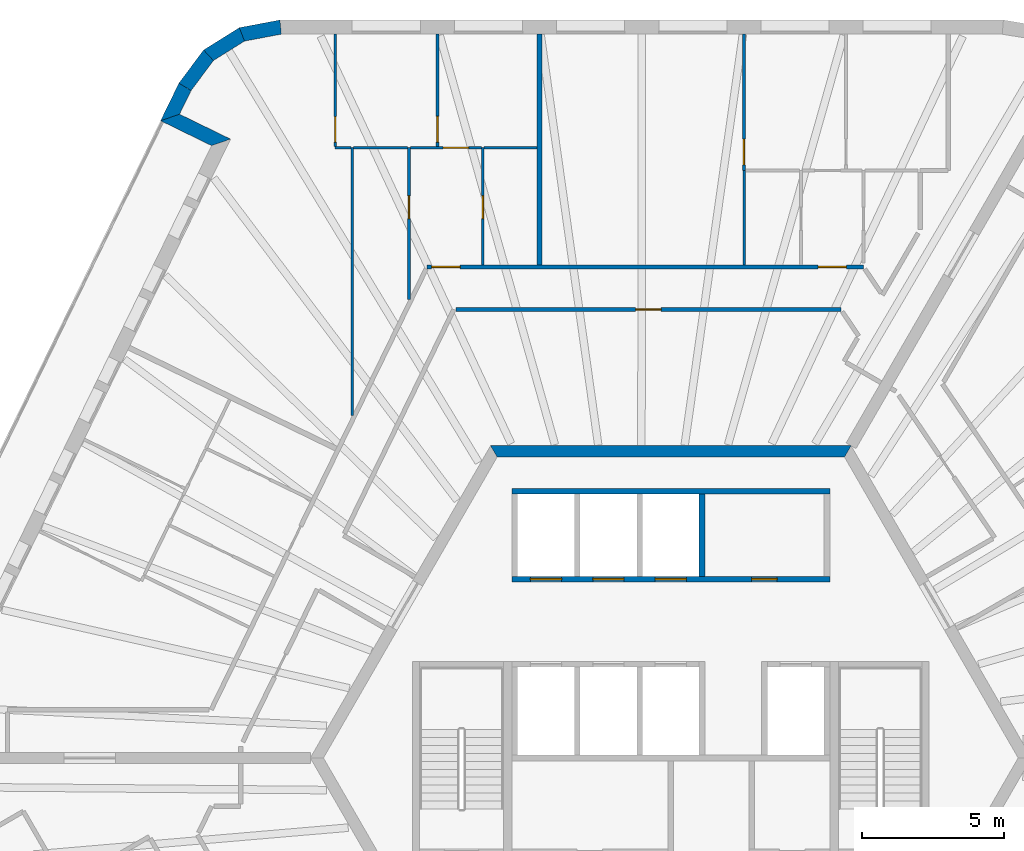
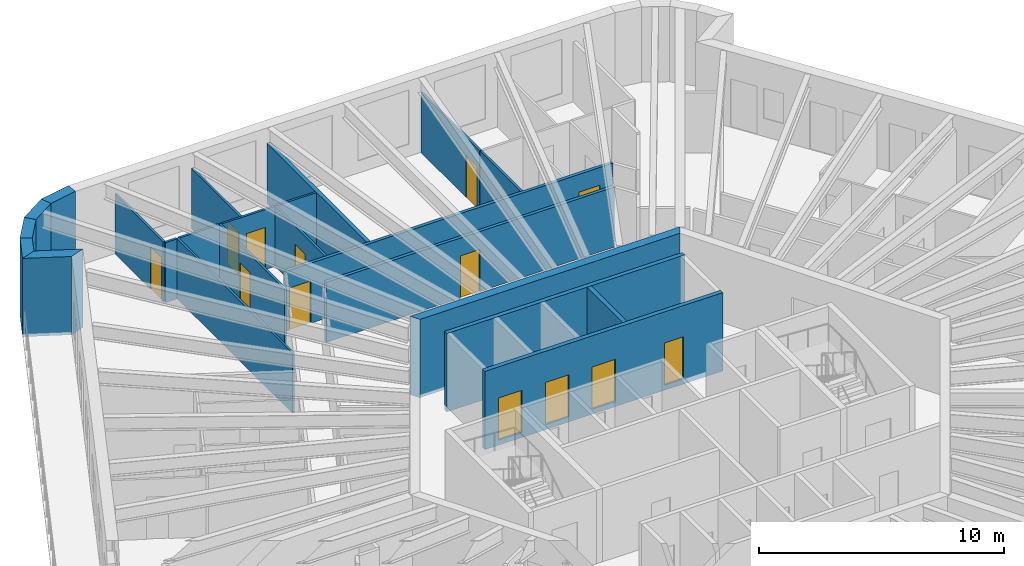
# One storey, part 9 of 12: 23 walls, 13 doors, 13 openings.
"""IFC4 building model written with IfcOpenShell, lengths in metres."""

from ifc_helpers import new_model, si_unit, direction, frame, frame_2d, origin, place, context, subcontext, project, spatial, polyline, rectangle, outline, extrude, material, layer, layer_set, type_object, element, fill, save


model = new_model("IFC4")

# Units and contexts
model_context = context("Model", 3, precision=1e-05, world=origin(), true_north=direction((0.0, 1.0)))
body_context = subcontext(model_context, "Body", "Model", "MODEL_VIEW")
ifc_project = project(units=[si_unit("LENGTHUNIT", "METRE"), si_unit("AREAUNIT", "SQUARE_METRE"), si_unit("VOLUMEUNIT", "CUBIC_METRE"), si_unit("PLANEANGLEUNIT", "RADIAN"), si_unit("MASSUNIT", "GRAM", prefix="KILO")], contexts=[model_context])

# Site, building, storey
site_placement = place(None, origin())
site = spatial("IfcSite", under=ifc_project, at=site_placement, CompositionType="ELEMENT")
building_placement = place(site_placement, origin())
building = spatial("IfcBuilding", under=site, at=building_placement, Name="Tarnside Tower", CompositionType="ELEMENT")
storey_placement = place(building_placement, frame((0.0, 0.0, 287.39990234375)))
storey = spatial("IfcBuildingStorey", under=building, at=storey_placement, Name="L69", CompositionType="ELEMENT", Elevation=287.39990234375)

# Walls
ifc_material_1 = material(Name="Gypsum board partition on steel studs", Category="steel")
ifc_layer_1 = layer(ifc_material_1, 0.10009765625)
ifc_layer_set_1 = layer_set([ifc_layer_1], Name="Bathroom wall 100")
wall_type_1 = type_object("IfcWallType", Name="Bathroom wall 100", PredefinedType="PARTITIONING", material=ifc_layer_set_1)
wall_1_placement = place(storey_placement, frame((2.586181640625, 17.375, 0.0), z_axis=(0.0, 0.0, 1.0), x_axis=(0.0, 1.0, 0.0)))
element("IfcWall", 1, at=wall_1_placement, inside=storey, type_object=wall_type_1, Name="Bathroom wall 22084", PredefinedType="PARTITIONING", context=body_context, shape_type="SweptSolid", body=[
    extrude(rectangle(XDim=3.324951171875, YDim=0.10009765625, at=frame_2d((1.66259765625, 0.0))), origin(), (0.0, 0.0, 1.0), 2.98779296875),
])
wall_2_placement = place(storey_placement, frame((-11.224853515625, 12.058837890625, 0.0), z_axis=(0.0, 0.0, 1.0), x_axis=(0.0, 1.0, 0.0)))
element("IfcWall", 2, at=wall_2_placement, inside=storey, type_object=wall_type_1, Name="Bathroom wall 22097", PredefinedType="PARTITIONING", context=body_context, shape_type="SweptSolid", body=[
    extrude(rectangle(XDim=9.441162109375, YDim=0.10009765625, at=frame_2d((4.720703125, 0.0))), origin(), (0.0, 0.0, 1.0), 2.98779296875),
])

# Wall, opening, door
wall_3_placement = place(storey_placement, frame((-6.624755859375, 17.375, 0.0), z_axis=(0.0, 0.0, 1.0), x_axis=(0.0, 1.0, 0.0)))
wall_3 = element("IfcWall", 3, at=wall_3_placement, inside=storey, type_object=wall_type_1, Name="Bathroom wall 22100", PredefinedType="PARTITIONING", context=body_context, shape_type="SweptSolid", body=[
    extrude(rectangle(XDim=4.125, YDim=0.10009765625, at=frame_2d((2.0625, 0.0))), origin(), (0.0, 0.0, 1.0), 2.98779296875),
])
opening_1_placement = place(wall_3_placement, frame((1.625, 0.0, 0.0)))
opening_1 = element("IfcOpeningElement", 4, at=opening_1_placement, cuts=wall_3, Name="Opening D-B1", PredefinedType="OPENING", context=body_context, shape_type="SweptSolid", body=[
    extrude(rectangle(XDim=0.800048828125, YDim=2.10009765625, at=frame_2d((0.39990234375, 1.050048828125))), frame((0.0, 0.06005859375, 0.0), z_axis=(0.0, -1.0, 0.0), x_axis=(1.0, 0.0, 0.0)), (0.0, 0.0, 1.0), 0.1201171875),
])
ifc_material_2 = material(Name="Timber door leaf", Category="wood")
door_type_1 = type_object("IfcDoorType", Name="Bathroom door 800", OperationType="NOTDEFINED", PredefinedType="DOOR", material=ifc_material_2)
door_1_placement = place(opening_1_placement, origin())
door_1 = element("IfcDoor", 5, at=door_1_placement, inside=storey, type_object=door_type_1, Name="Bathroom door 22013", OperationType="SINGLE_SWING_RIGHT", OverallHeight=2.10009765625, OverallWidth=0.800048828125, PredefinedType="DOOR", context=body_context, shape_type="SweptSolid", body=[
    extrude(rectangle(XDim=0.800048828125, YDim=2.10009765625, at=frame_2d((0.39990234375, 1.050048828125))), frame((0.0, 0.02490234375, 0.0), z_axis=(0.0, -1.0, 0.0), x_axis=(1.0, 0.0, 0.0)), (0.0, 0.0, 1.0), 0.050048828125),
])
fill(opening_1, door_1)

wall_4_placement = place(storey_placement, frame((-9.224853515625, 21.5, 0.0), z_axis=(0.0, 0.0, 1.0), x_axis=(0.0, -1.0, 0.0)))
wall_4 = element("IfcWall", 6, at=wall_4_placement, inside=storey, type_object=wall_type_1, Name="Bathroom wall 22103", PredefinedType="PARTITIONING", context=body_context, shape_type="SweptSolid", body=[
    extrude(rectangle(XDim=5.340576171875, YDim=0.10009765625, at=frame_2d((2.67041015625, 0.0))), origin(), (0.0, 0.0, 1.0), 2.98779296875),
])
opening_2_placement = place(wall_4_placement, frame((1.699951171875, 0.0, 0.0)))
opening_2 = element("IfcOpeningElement", 7, at=opening_2_placement, cuts=wall_4, Name="Opening D-B1", PredefinedType="OPENING", context=body_context, shape_type="SweptSolid", body=[
    extrude(rectangle(XDim=0.800048828125, YDim=2.10009765625, at=frame_2d((0.39990234375, 1.050048828125))), frame((0.0, 0.06005859375, 0.0), z_axis=(0.0, -1.0, 0.0), x_axis=(1.0, 0.0, 0.0)), (0.0, 0.0, 1.0), 0.1201171875),
])
door_2_placement = place(opening_2_placement, origin())
door_2 = element("IfcDoor", 8, at=door_2_placement, inside=storey, type_object=door_type_1, Name="Bathroom door 22020", OperationType="SINGLE_SWING_RIGHT", OverallHeight=2.10009765625, OverallWidth=0.800048828125, PredefinedType="DOOR", context=body_context, shape_type="SweptSolid", body=[
    extrude(rectangle(XDim=0.800048828125, YDim=2.10009765625, at=frame_2d((0.39990234375, 1.050048828125))), frame((0.0, 0.02490234375, 0.0), z_axis=(0.0, -1.0, 0.0), x_axis=(1.0, 0.0, 0.0)), (0.0, 0.0, 1.0), 0.050048828125),
])
fill(opening_2, door_2)

# Walls
wall_5_placement = place(storey_placement, frame((-4.71484375, 21.5, 0.0), z_axis=(0.0, 0.0, 1.0), x_axis=(-1.0, 0.0, 0.0)))
element("IfcWall", 9, at=wall_5_placement, inside=storey, type_object=wall_type_1, Name="Bathroom wall 22104", PredefinedType="PARTITIONING", context=body_context, shape_type="SweptSolid", body=[
    extrude(rectangle(XDim=1.862060546875, YDim=0.10009765625, at=frame_2d((0.93115234375, 0.0))), origin(), (0.0, 0.0, 1.0), 2.98779296875),
])
wall_6_placement = place(storey_placement, frame((-11.1748046875, 21.5, 0.0), z_axis=(0.0, 0.0, 1.0), x_axis=(1.0, 0.0, 0.0)))
element("IfcWall", 10, at=wall_6_placement, inside=storey, type_object=wall_type_1, Name="Bathroom wall 22106", PredefinedType="PARTITIONING", context=body_context, shape_type="SweptSolid", body=[
    extrude(rectangle(XDim=1.89990234375, YDim=0.10009765625, at=frame_2d((0.949951171875, 0.0))), origin(), (0.0, 0.0, 1.0), 2.98779296875),
])
ifc_material_3 = material(Name="Concrete C60/75", Category="concrete")
ifc_layer_2 = layer(ifc_material_3, 0.39990234375)
ifc_layer_set_2 = layer_set([ifc_layer_2], Name="Core wall Z3 400 C60/75")
wall_type_2 = type_object("IfcWallType", Name="Core wall Z3 400 C60/75", PredefinedType="SHEAR", material=ifc_layer_set_2)
wall_7_placement = place(storey_placement, frame((6.2353515625, 10.800048828125, -0.14990234375), z_axis=(0.0, 0.0, 1.0), x_axis=(-1.0, 0.0, 0.0)))
element("IfcWall", 11, at=wall_7_placement, inside=storey, type_object=wall_type_2, Name="L69 core wall face 1", PredefinedType="SHEAR", context=body_context, shape_type="SweptSolid", body=[
    extrude(outline(polyline([(-0.115478515625, -0.199951171875), (12.586181640625, -0.199951171875), (12.355224609375, 0.199951171875), (0.115478515625, 0.199951171875), (-0.115478515625, -0.199951171875)])), origin(), (0.0, 0.0, 1.0), 3.89990234375),
])

# Wall, openings, doors
ifc_layer_3 = layer(ifc_material_1, 0.14990234375)
ifc_layer_set_3 = layer_set([ifc_layer_3], Name="Corridor wall 150 EI 60")
wall_type_3 = type_object("IfcWallType", Name="Corridor wall 150 EI 60", PredefinedType="PARTITIONING", material=ifc_layer_set_3)
wall_8_placement = place(storey_placement, frame((6.7861328125, 17.300048828125, 0.0), z_axis=(0.0, 0.0, 1.0), x_axis=(-1.0, 0.0, 0.0)))
wall_8 = element("IfcWall", 12, at=wall_8_placement, inside=storey, type_object=wall_type_3, Name="Corridor wall 22001", PredefinedType="PARTITIONING", context=body_context, shape_type="SweptSolid", body=[
    extrude(rectangle(XDim=15.37109375, YDim=0.14990234375, at=frame_2d((7.685546875, 0.0))), origin(), (0.0, 0.0, 1.0), 2.98779296875),
])
opening_3_placement = place(wall_8_placement, frame((0.60009765625, 0.0, 0.0)))
opening_3 = element("IfcOpeningElement", 13, at=opening_3_placement, cuts=wall_8, Name="Opening D-E1", PredefinedType="OPENING", context=body_context, shape_type="SweptSolid", body=[
    extrude(rectangle(XDim=1.0, YDim=2.10009765625, at=frame_2d((0.5, 1.050048828125))), frame((0.0, 0.0849609375, 0.0), z_axis=(0.0, -1.0, 0.0), x_axis=(1.0, 0.0, 0.0)), (0.0, 0.0, 1.0), 0.169921875),
])
opening_4_placement = place(wall_8_placement, frame((14.2109375, 0.0, 0.0)))
opening_4 = element("IfcOpeningElement", 14, at=opening_4_placement, cuts=wall_8, Name="Opening D-E1", PredefinedType="OPENING", context=body_context, shape_type="SweptSolid", body=[
    extrude(rectangle(XDim=1.0, YDim=2.10009765625, at=frame_2d((0.5, 1.050048828125))), frame((0.0, 0.0849609375, 0.0), z_axis=(0.0, -1.0, 0.0), x_axis=(1.0, 0.0, 0.0)), (0.0, 0.0, 1.0), 0.169921875),
])
door_type_2 = type_object("IfcDoorType", Name="Unit entrance door 1000 FD30S", OperationType="NOTDEFINED", PredefinedType="DOOR", material=ifc_material_2)
door_3_placement = place(opening_3_placement, origin())
door_3 = element("IfcDoor", 15, at=door_3_placement, inside=storey, type_object=door_type_2, Name="Unit door 22001", OperationType="SINGLE_SWING_LEFT", OverallHeight=2.10009765625, OverallWidth=1.0, PredefinedType="DOOR", context=body_context, shape_type="SweptSolid", body=[
    extrude(rectangle(XDim=1.0, YDim=2.10009765625, at=frame_2d((0.5, 1.050048828125))), frame((0.0, 0.02490234375, 0.0), z_axis=(0.0, -1.0, 0.0), x_axis=(1.0, 0.0, 0.0)), (0.0, 0.0, 1.0), 0.050048828125),
])
fill(opening_3, door_3)
door_4_placement = place(opening_4_placement, origin())
door_4 = element("IfcDoor", 16, at=door_4_placement, inside=storey, type_object=door_type_2, Name="Unit door 22012", OperationType="SINGLE_SWING_LEFT", OverallHeight=2.10009765625, OverallWidth=1.0, PredefinedType="DOOR", context=body_context, shape_type="SweptSolid", body=[
    extrude(rectangle(XDim=1.0, YDim=2.10009765625, at=frame_2d((0.5, 1.050048828125))), frame((0.0, 0.02490234375, 0.0), z_axis=(0.0, -1.0, 0.0), x_axis=(1.0, 0.0, 0.0)), (0.0, 0.0, 1.0), 0.050048828125),
])
fill(opening_4, door_4)

# Wall, opening, door
wall_9_placement = place(storey_placement, frame((-7.564208984375, 15.800048828125, 0.0), z_axis=(0.0, 0.0, 1.0), x_axis=(1.0, 0.0, 0.0)))
wall_9 = element("IfcWall", 17, at=wall_9_placement, inside=storey, type_object=wall_type_3, Name="Corridor wall 22022", PredefinedType="PARTITIONING", context=body_context, shape_type="SweptSolid", body=[
    extrude(rectangle(XDim=13.552734375, YDim=0.14990234375, at=frame_2d((6.7763671875, 0.0))), origin(), (0.0, 0.0, 1.0), 2.98779296875),
])
opening_5_placement = place(wall_9_placement, frame((6.326416015625, 0.0, 0.0)))
opening_5 = element("IfcOpeningElement", 18, at=opening_5_placement, cuts=wall_9, Name="Opening D-S1", PredefinedType="OPENING", context=body_context, shape_type="SweptSolid", body=[
    extrude(rectangle(XDim=0.89990234375, YDim=2.10009765625, at=frame_2d((0.449951171875, 1.050048828125))), frame((0.0, 0.0849609375, 0.0), z_axis=(0.0, -1.0, 0.0), x_axis=(1.0, 0.0, 0.0)), (0.0, 0.0, 1.0), 0.169921875),
])
door_type_3 = type_object("IfcDoorType", Name="Service room door 900 FD30S", OperationType="NOTDEFINED", PredefinedType="DOOR", material=ifc_material_2)
door_5_placement = place(opening_5_placement, origin())
door_5 = element("IfcDoor", 19, at=door_5_placement, inside=storey, type_object=door_type_3, Name="Service door 22086", OperationType="SINGLE_SWING_LEFT", OverallHeight=2.10009765625, OverallWidth=0.89990234375, PredefinedType="DOOR", context=body_context, shape_type="SweptSolid", body=[
    extrude(rectangle(XDim=0.89990234375, YDim=2.10009765625, at=frame_2d((0.449951171875, 1.050048828125))), frame((0.0, 0.02490234375, 0.0), z_axis=(0.0, -1.0, 0.0), x_axis=(1.0, 0.0, 0.0)), (0.0, 0.0, 1.0), 0.050048828125),
])
fill(opening_5, door_5)

# Wall
ifc_layer_4 = layer(ifc_material_1, 0.179931640625)
ifc_layer_set_4 = layer_set([ifc_layer_4], Name="Demising wall 180 EI 60")
wall_type_4 = type_object("IfcWallType", Name="Demising wall 180 EI 60", PredefinedType="PARTITIONING", material=ifc_layer_set_4)
wall_10_placement = place(storey_placement, frame((-4.624755859375, 25.5, 0.0), z_axis=(0.0, 0.0, 1.0), x_axis=(0.0, -1.0, 0.0)))
element("IfcWall", 20, at=wall_10_placement, inside=storey, type_object=wall_type_4, Name="Demising wall 22086", PredefinedType="PARTITIONING", context=body_context, shape_type="SweptSolid", body=[
    extrude(rectangle(XDim=8.125, YDim=0.179931640625, at=frame_2d((4.0625, 0.0))), origin(), (0.0, 0.0, 1.0), 2.98779296875),
])

# Wall, openings, doors
ifc_material_4 = material(Name="Concrete C40/50", Category="concrete")
ifc_layer_5 = layer(ifc_material_4, 0.199951171875)
ifc_layer_set_5 = layer_set([ifc_layer_5], Name="Lift shaft wall 200 C40/50")
wall_type_5 = type_object("IfcWallType", Name="Lift shaft wall 200 C40/50", PredefinedType="SHEAR", material=ifc_layer_set_5)
wall_11_placement = place(storey_placement, frame((-5.60009765625, 6.300048828125, -0.25), z_axis=(0.0, 0.0, 1.0), x_axis=(1.0, 0.0, 0.0)))
wall_11 = element("IfcWall", 21, at=wall_11_placement, inside=storey, type_object=wall_type_5, Name="L69 lift shaft front wall R1", PredefinedType="SHEAR", context=body_context, shape_type="SweptSolid", body=[
    extrude(rectangle(XDim=11.2001953125, YDim=0.199951171875, at=frame_2d((5.60009765625, 0.0))), origin(), (0.0, 0.0, 1.0), 3.900146484375),
])
opening_6_placement = place(wall_11_placement, frame((8.449951171875, 0.0, 0.25)))
opening_6 = element("IfcOpeningElement", 22, at=opening_6_placement, cuts=wall_11, Name="Opening CD-room", PredefinedType="OPENING", context=body_context, shape_type="SweptSolid", body=[
    extrude(rectangle(XDim=0.89990234375, YDim=2.10009765625, at=frame_2d((0.449951171875, 1.050048828125))), frame((0.0, 0.10986328125, 0.0), z_axis=(0.0, -1.0, 0.0), x_axis=(1.0, 0.0, 0.0)), (0.0, 0.0, 1.0), 0.219970703125),
])
opening_7_placement = place(wall_11_placement, frame((0.64990234375, 0.0, 0.25)))
opening_7 = element("IfcOpeningElement", 23, at=opening_7_placement, cuts=wall_11, Name="Opening LD", PredefinedType="OPENING", context=body_context, shape_type="SweptSolid", body=[
    extrude(rectangle(XDim=1.10009765625, YDim=2.10009765625, at=frame_2d((0.550048828125, 1.050048828125))), frame((0.0, 0.10986328125, 0.0), z_axis=(0.0, -1.0, 0.0), x_axis=(1.0, 0.0, 0.0)), (0.0, 0.0, 1.0), 0.219970703125),
])
opening_8_placement = place(wall_11_placement, frame((2.85009765625, 0.0, 0.25)))
opening_8 = element("IfcOpeningElement", 24, at=opening_8_placement, cuts=wall_11, Name="Opening LD", PredefinedType="OPENING", context=body_context, shape_type="SweptSolid", body=[
    extrude(rectangle(XDim=1.10009765625, YDim=2.10009765625, at=frame_2d((0.550048828125, 1.050048828125))), frame((0.0, 0.10986328125, 0.0), z_axis=(0.0, -1.0, 0.0), x_axis=(1.0, 0.0, 0.0)), (0.0, 0.0, 1.0), 0.219970703125),
])
opening_9_placement = place(wall_11_placement, frame((5.050048828125, 0.0, 0.25)))
opening_9 = element("IfcOpeningElement", 25, at=opening_9_placement, cuts=wall_11, Name="Opening LD", PredefinedType="OPENING", context=body_context, shape_type="SweptSolid", body=[
    extrude(rectangle(XDim=1.10009765625, YDim=2.10009765625, at=frame_2d((0.550048828125, 1.050048828125))), frame((0.0, 0.10986328125, 0.0), z_axis=(0.0, -1.0, 0.0), x_axis=(1.0, 0.0, 0.0)), (0.0, 0.0, 1.0), 0.219970703125),
])
ifc_material_5 = material(Name="Stainless steel", Category="steel")
door_type_4 = type_object("IfcDoorType", Name="Lift landing door 1100x2100", OperationType="NOTDEFINED", PredefinedType="DOOR", material=ifc_material_5)
door_6_placement = place(opening_7_placement, origin())
door_6 = element("IfcDoor", 26, at=door_6_placement, inside=storey, type_object=door_type_4, Name="High-rise lift 1 landing door L69", OperationType="SLIDING_TO_LEFT", OverallHeight=2.10009765625, OverallWidth=1.10009765625, PredefinedType="DOOR", context=body_context, shape_type="SweptSolid", body=[
    extrude(rectangle(XDim=1.10009765625, YDim=2.10009765625, at=frame_2d((0.550048828125, 1.050048828125))), frame((0.0, 0.02490234375, 0.0), z_axis=(0.0, -1.0, 0.0), x_axis=(1.0, 0.0, 0.0)), (0.0, 0.0, 1.0), 0.050048828125),
])
fill(opening_7, door_6)
door_7_placement = place(opening_8_placement, origin())
door_7 = element("IfcDoor", 27, at=door_7_placement, inside=storey, type_object=door_type_4, Name="High-rise lift 2 landing door L69", OperationType="SLIDING_TO_LEFT", OverallHeight=2.10009765625, OverallWidth=1.10009765625, PredefinedType="DOOR", context=body_context, shape_type="SweptSolid", body=[
    extrude(rectangle(XDim=1.10009765625, YDim=2.10009765625, at=frame_2d((0.550048828125, 1.050048828125))), frame((0.0, 0.02490234375, 0.0), z_axis=(0.0, -1.0, 0.0), x_axis=(1.0, 0.0, 0.0)), (0.0, 0.0, 1.0), 0.050048828125),
])
fill(opening_8, door_7)
door_8_placement = place(opening_9_placement, origin())
door_8 = element("IfcDoor", 28, at=door_8_placement, inside=storey, type_object=door_type_4, Name="High-rise lift 3 landing door L69", OperationType="SLIDING_TO_LEFT", OverallHeight=2.10009765625, OverallWidth=1.10009765625, PredefinedType="DOOR", context=body_context, shape_type="SweptSolid", body=[
    extrude(rectangle(XDim=1.10009765625, YDim=2.10009765625, at=frame_2d((0.550048828125, 1.050048828125))), frame((0.0, 0.02490234375, 0.0), z_axis=(0.0, -1.0, 0.0), x_axis=(1.0, 0.0, 0.0)), (0.0, 0.0, 1.0), 0.050048828125),
])
fill(opening_9, door_8)
ifc_material_6 = material(Name="Steel fire door", Category="steel")
door_type_5 = type_object("IfcDoorType", Name="Room door FD60 900x2100", OperationType="NOTDEFINED", PredefinedType="DOOR", material=ifc_material_6)
door_9_placement = place(opening_6_placement, origin())
door_9 = element("IfcDoor", 29, at=door_9_placement, inside=storey, type_object=door_type_5, Name="L69 core room door FC1", OperationType="SINGLE_SWING_LEFT", OverallHeight=2.10009765625, OverallWidth=0.89990234375, PredefinedType="DOOR", context=body_context, shape_type="SweptSolid", body=[
    extrude(rectangle(XDim=0.89990234375, YDim=2.10009765625, at=frame_2d((0.449951171875, 1.050048828125))), frame((0.0, 0.02490234375, 0.0), z_axis=(0.0, -1.0, 0.0), x_axis=(1.0, 0.0, 0.0)), (0.0, 0.0, 1.0), 0.050048828125),
])
fill(opening_6, door_9)

# Walls
wall_12_placement = place(storey_placement, frame((-5.60009765625, 9.39990234375, -0.25), z_axis=(0.0, 0.0, 1.0), x_axis=(1.0, 0.0, 0.0)))
element("IfcWall", 30, at=wall_12_placement, inside=storey, type_object=wall_type_5, Name="L69 lift shaft back wall R1", PredefinedType="SHEAR", context=body_context, shape_type="SweptSolid", body=[
    extrude(rectangle(XDim=11.2001953125, YDim=0.199951171875, at=frame_2d((5.60009765625, 0.0))), origin(), (0.0, 0.0, 1.0), 3.900146484375),
])
wall_13_placement = place(storey_placement, frame((1.10009765625, 6.39990234375, -0.25), z_axis=(0.0, 0.0, 1.0), x_axis=(0.0, 1.0, 0.0)))
element("IfcWall", 31, at=wall_13_placement, inside=storey, type_object=wall_type_5, Name="L69 lift shaft partition R14", PredefinedType="SHEAR", context=body_context, shape_type="SweptSolid", body=[
    extrude(rectangle(XDim=2.900146484375, YDim=0.199951171875, at=frame_2d((1.4501953125, 0.0))), origin(), (0.0, 0.0, 1.0), 3.900146484375),
])
ifc_material_7 = material(Name="Dark zinc cladding")
ifc_layer_6 = layer(ifc_material_7, 0.10205078125)
ifc_material_8 = material(Name="Concrete C60/75 precast", Category="concrete")
ifc_layer_7 = layer(ifc_material_8, 0.298095703125)
ifc_material_9 = material(Name="Mineral wool insulation")
ifc_layer_8 = layer(ifc_material_9, 0.10009765625)
ifc_layer_set_6 = layer_set([ifc_layer_6, ifc_layer_7, ifc_layer_8], Name="Loggia wall 500 zinc faced")
wall_type_6 = type_object("IfcWallType", Name="Loggia wall 500 zinc faced", PredefinedType="SOLIDWALL", material=ifc_layer_set_6)
wall_14_placement = place(storey_placement, frame((-17.11767578125, 23.643798828125, -0.14990234375), z_axis=(0.0, 0.0, 1.0), x_axis=(-0.438319390103, -0.898819287877, 0.0)))
element("IfcWall", 32, at=wall_14_placement, inside=storey, type_object=wall_type_6, Name="Tube wall L69 F2 stub 04", PredefinedType="SOLIDWALL", context=body_context, shape_type="SweptSolid", body=[
    extrude(outline(polyline([(-0.0234375, -0.25), (1.44970703125, -0.25), (0.94970703125, 0.25), (0.0234375, 0.25), (-0.0234375, -0.25)])), origin(), (0.0, 0.0, 1.0), 3.89990234375),
])
wall_15_placement = place(storey_placement, frame((-17.6435546875, 22.5654296875, -0.14990234375), z_axis=(0.0, 0.0, 1.0), x_axis=(0.898754367686, -0.43845249066, 0.0)))
element("IfcWall", 33, at=wall_15_placement, inside=storey, type_object=wall_type_6, Name="Tube wall L69 F2 return 05", PredefinedType="SOLIDWALL", context=body_context, shape_type="SweptSolid", body=[
    extrude(outline(polyline([(-0.25, -0.25), (1.75, -0.25), (2.25, 0.25), (0.25, 0.25), (-0.25, -0.25)])), origin(), (0.0, 0.0, 1.0), 3.89990234375),
])

# Wall, opening, door
ifc_layer_9 = layer(ifc_material_1, 0.10009765625)
ifc_layer_set_7 = layer_set([ifc_layer_9], Name="Partition 100")
wall_type_7 = type_object("IfcWallType", Name="Partition 100", PredefinedType="PARTITIONING", material=ifc_layer_set_7)
wall_16_placement = place(storey_placement, frame((2.5751953125, 20.699951171875, 0.0), z_axis=(0.0, 0.0, 1.0), x_axis=(0.0, 1.0, 0.0)))
wall_16 = element("IfcWall", 34, at=wall_16_placement, inside=storey, type_object=wall_type_7, Name="Partition wall 22085", PredefinedType="PARTITIONING", context=body_context, shape_type="SweptSolid", body=[
    extrude(rectangle(XDim=4.800048828125, YDim=0.10009765625, at=frame_2d((2.39990234375, 0.0))), origin(), (0.0, 0.0, 1.0), 2.98779296875),
])
opening_10_placement = place(wall_16_placement, frame((0.199951171875, 0.0, 0.0)))
opening_10 = element("IfcOpeningElement", 35, at=opening_10_placement, cuts=wall_16, Name="Opening D-I1", PredefinedType="OPENING", context=body_context, shape_type="SweptSolid", body=[
    extrude(rectangle(XDim=0.89990234375, YDim=2.10009765625, at=frame_2d((0.449951171875, 1.050048828125))), frame((0.0, 0.06005859375, 0.0), z_axis=(0.0, -1.0, 0.0), x_axis=(1.0, 0.0, 0.0)), (0.0, 0.0, 1.0), 0.1201171875),
])
door_type_6 = type_object("IfcDoorType", Name="Internal door 900", OperationType="NOTDEFINED", PredefinedType="DOOR", material=ifc_material_2)
door_10_placement = place(opening_10_placement, origin())
door_10 = element("IfcDoor", 36, at=door_10_placement, inside=storey, type_object=door_type_6, Name="Internal door 22010", OperationType="SINGLE_SWING_RIGHT", OverallHeight=2.10009765625, OverallWidth=0.89990234375, PredefinedType="DOOR", context=body_context, shape_type="SweptSolid", body=[
    extrude(rectangle(XDim=0.89990234375, YDim=2.10009765625, at=frame_2d((0.449951171875, 1.050048828125))), frame((0.0, 0.02490234375, 0.0), z_axis=(0.0, -1.0, 0.0), x_axis=(1.0, 0.0, 0.0)), (0.0, 0.0, 1.0), 0.050048828125),
])
fill(opening_10, door_10)

# Wall
wall_17_placement = place(storey_placement, frame((-11.272705078125, 21.5, 0.0), z_axis=(0.0, 0.0, 1.0), x_axis=(-1.0, 0.0, 0.0)))
element("IfcWall", 37, at=wall_17_placement, inside=storey, type_object=wall_type_7, Name="Partition wall 22095", PredefinedType="PARTITIONING", context=body_context, shape_type="SweptSolid", body=[
    extrude(rectangle(XDim=0.552001953125, YDim=0.10009765625, at=frame_2d((0.27587890625, 0.0))), origin(), (0.0, 0.0, 1.0), 2.98779296875),
])

# Wall, opening, door
wall_18_placement = place(storey_placement, frame((-11.82470703125, 21.550048828125, 0.0), z_axis=(0.0, 0.0, 1.0), x_axis=(0.0, 1.0, 0.0)))
wall_18 = element("IfcWall", 38, at=wall_18_placement, inside=storey, type_object=wall_type_7, Name="Partition wall 22096", PredefinedType="PARTITIONING", context=body_context, shape_type="SweptSolid", body=[
    extrude(rectangle(XDim=3.949951171875, YDim=0.10009765625, at=frame_2d((1.97509765625, 0.0))), origin(), (0.0, 0.0, 1.0), 2.98779296875),
])
opening_11_placement = place(wall_18_placement, frame((0.14990234375, 0.0, 0.0)))
opening_11 = element("IfcOpeningElement", 39, at=opening_11_placement, cuts=wall_18, Name="Opening D-I1", PredefinedType="OPENING", context=body_context, shape_type="SweptSolid", body=[
    extrude(rectangle(XDim=0.89990234375, YDim=2.10009765625, at=frame_2d((0.449951171875, 1.050048828125))), frame((0.0, 0.06005859375, 0.0), z_axis=(0.0, -1.0, 0.0), x_axis=(1.0, 0.0, 0.0)), (0.0, 0.0, 1.0), 0.1201171875),
])
door_11_placement = place(opening_11_placement, origin())
door_11 = element("IfcDoor", 40, at=door_11_placement, inside=storey, type_object=door_type_6, Name="Internal door 22019", OperationType="SINGLE_SWING_RIGHT", OverallHeight=2.10009765625, OverallWidth=0.89990234375, PredefinedType="DOOR", context=body_context, shape_type="SweptSolid", body=[
    extrude(rectangle(XDim=0.89990234375, YDim=2.10009765625, at=frame_2d((0.449951171875, 1.050048828125))), frame((0.0, 0.02490234375, 0.0), z_axis=(0.0, -1.0, 0.0), x_axis=(1.0, 0.0, 0.0)), (0.0, 0.0, 1.0), 0.050048828125),
])
fill(opening_11, door_11)

wall_19_placement = place(storey_placement, frame((-6.6728515625, 21.5, 0.0), z_axis=(0.0, 0.0, 1.0), x_axis=(-1.0, 0.0, 0.0)))
wall_19 = element("IfcWall", 41, at=wall_19_placement, inside=storey, type_object=wall_type_7, Name="Partition wall 22101", PredefinedType="PARTITIONING", context=body_context, shape_type="SweptSolid", body=[
    extrude(rectangle(XDim=2.50390625, YDim=0.10009765625, at=frame_2d((1.251953125, 0.0))), origin(), (0.0, 0.0, 1.0), 2.98779296875),
])
opening_12_placement = place(wall_19_placement, frame((0.451904296875, 0.0, 0.0)))
opening_12 = element("IfcOpeningElement", 42, at=opening_12_placement, cuts=wall_19, Name="Opening D-I1", PredefinedType="OPENING", context=body_context, shape_type="SweptSolid", body=[
    extrude(rectangle(XDim=0.89990234375, YDim=2.10009765625, at=frame_2d((0.449951171875, 1.050048828125))), frame((0.0, 0.06005859375, 0.0), z_axis=(0.0, -1.0, 0.0), x_axis=(1.0, 0.0, 0.0)), (0.0, 0.0, 1.0), 0.1201171875),
])
door_12_placement = place(opening_12_placement, origin())
door_12 = element("IfcDoor", 43, at=door_12_placement, inside=storey, type_object=door_type_6, Name="Internal door 22015", OperationType="SINGLE_SWING_LEFT", OverallHeight=2.10009765625, OverallWidth=0.89990234375, PredefinedType="DOOR", context=body_context, shape_type="SweptSolid", body=[
    extrude(rectangle(XDim=0.89990234375, YDim=2.10009765625, at=frame_2d((0.449951171875, 1.050048828125))), frame((0.0, 0.02490234375, 0.0), z_axis=(0.0, -1.0, 0.0), x_axis=(1.0, 0.0, 0.0)), (0.0, 0.0, 1.0), 0.050048828125),
])
fill(opening_12, door_12)

wall_20_placement = place(storey_placement, frame((-8.224853515625, 25.5, 0.0), z_axis=(0.0, 0.0, 1.0), x_axis=(0.0, -1.0, 0.0)))
wall_20 = element("IfcWall", 44, at=wall_20_placement, inside=storey, type_object=wall_type_7, Name="Partition wall 22105", PredefinedType="PARTITIONING", context=body_context, shape_type="SweptSolid", body=[
    extrude(rectangle(XDim=3.949951171875, YDim=0.10009765625, at=frame_2d((1.97509765625, 0.0))), origin(), (0.0, 0.0, 1.0), 2.98779296875),
])
opening_13_placement = place(wall_20_placement, frame((2.89990234375, 0.0, 0.0)))
opening_13 = element("IfcOpeningElement", 45, at=opening_13_placement, cuts=wall_20, Name="Opening D-I1", PredefinedType="OPENING", context=body_context, shape_type="SweptSolid", body=[
    extrude(rectangle(XDim=0.89990234375, YDim=2.10009765625, at=frame_2d((0.449951171875, 1.050048828125))), frame((0.0, 0.06005859375, 0.0), z_axis=(0.0, -1.0, 0.0), x_axis=(1.0, 0.0, 0.0)), (0.0, 0.0, 1.0), 0.1201171875),
])
door_13_placement = place(opening_13_placement, origin())
door_13 = element("IfcDoor", 46, at=door_13_placement, inside=storey, type_object=door_type_6, Name="Internal door 22018", OperationType="SINGLE_SWING_RIGHT", OverallHeight=2.10009765625, OverallWidth=0.89990234375, PredefinedType="DOOR", context=body_context, shape_type="SweptSolid", body=[
    extrude(rectangle(XDim=0.89990234375, YDim=2.10009765625, at=frame_2d((0.449951171875, 1.050048828125))), frame((0.0, 0.02490234375, 0.0), z_axis=(0.0, -1.0, 0.0), x_axis=(1.0, 0.0, 0.0)), (0.0, 0.0, 1.0), 0.050048828125),
])
fill(opening_13, door_13)

# Walls
ifc_material_10 = material(Name="Facing brick", Category="masonry")
ifc_layer_10 = layer(ifc_material_10, 0.10205078125)
ifc_layer_11 = layer(ifc_material_8, 0.298095703125)
ifc_layer_12 = layer(ifc_material_9, 0.10009765625)
ifc_layer_set_8 = layer_set([ifc_layer_10, ifc_layer_11, ifc_layer_12], Name="Tube wall 500 brick faced")
wall_type_8 = type_object("IfcWallType", Name="Tube wall 500 brick faced", PredefinedType="SOLIDWALL", material=ifc_layer_set_8)
wall_21_placement = place(storey_placement, frame((-13.7470703125, 25.75, -0.14990234375), z_axis=(0.0, 0.0, 1.0), x_axis=(-0.982736538448, -0.185010529429, 0.0)))
element("IfcWall", 47, at=wall_21_placement, inside=storey, type_object=wall_type_8, Name="Tube wall L69 F1 chord 01", PredefinedType="SOLIDWALL", context=body_context, shape_type="SweptSolid", body=[
    extrude(outline(polyline([(-0.0234375, -0.25), (1.435302734375, -0.25), (1.341064453125, 0.25), (0.0234375, 0.25), (-0.0234375, -0.25)])), origin(), (0.0, 0.0, 1.0), 3.89990234375),
])
wall_22_placement = place(storey_placement, frame((-15.111328125, 25.4931640625, -0.14990234375), z_axis=(0.0, 0.0, 1.0), x_axis=(-0.847978544293, -0.530030554231, 0.0)))
element("IfcWall", 48, at=wall_22_placement, inside=storey, type_object=wall_type_8, Name="Tube wall L69 F1 chord 02", PredefinedType="SOLIDWALL", context=body_context, shape_type="SweptSolid", body=[
    extrude(outline(polyline([(-0.047119140625, -0.25), (1.435302734375, -0.25), (1.341064453125, 0.25), (0.047119140625, 0.25), (-0.047119140625, -0.25)])), origin(), (0.0, 0.0, 1.0), 3.89990234375),
])
wall_23_placement = place(storey_placement, frame((-16.28857421875, 24.75732421875, -0.14990234375), z_axis=(0.0, 0.0, 1.0), x_axis=(-0.597210785942, -0.802084332945, 0.0)))
element("IfcWall", 49, at=wall_23_placement, inside=storey, type_object=wall_type_8, Name="Tube wall L69 F1 chord 03", PredefinedType="SOLIDWALL", context=body_context, shape_type="SweptSolid", body=[
    extrude(outline(polyline([(-0.047119140625, -0.25), (1.41162109375, -0.25), (1.36474609375, 0.25), (0.047119140625, 0.25), (-0.047119140625, -0.25)])), origin(), (0.0, 0.0, 1.0), 3.89990234375),
])

save(model, "model.ifc")
